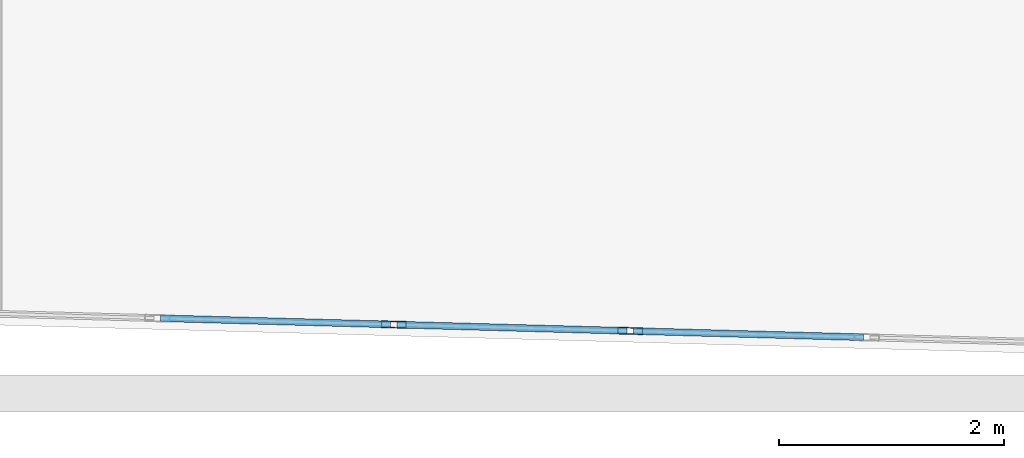
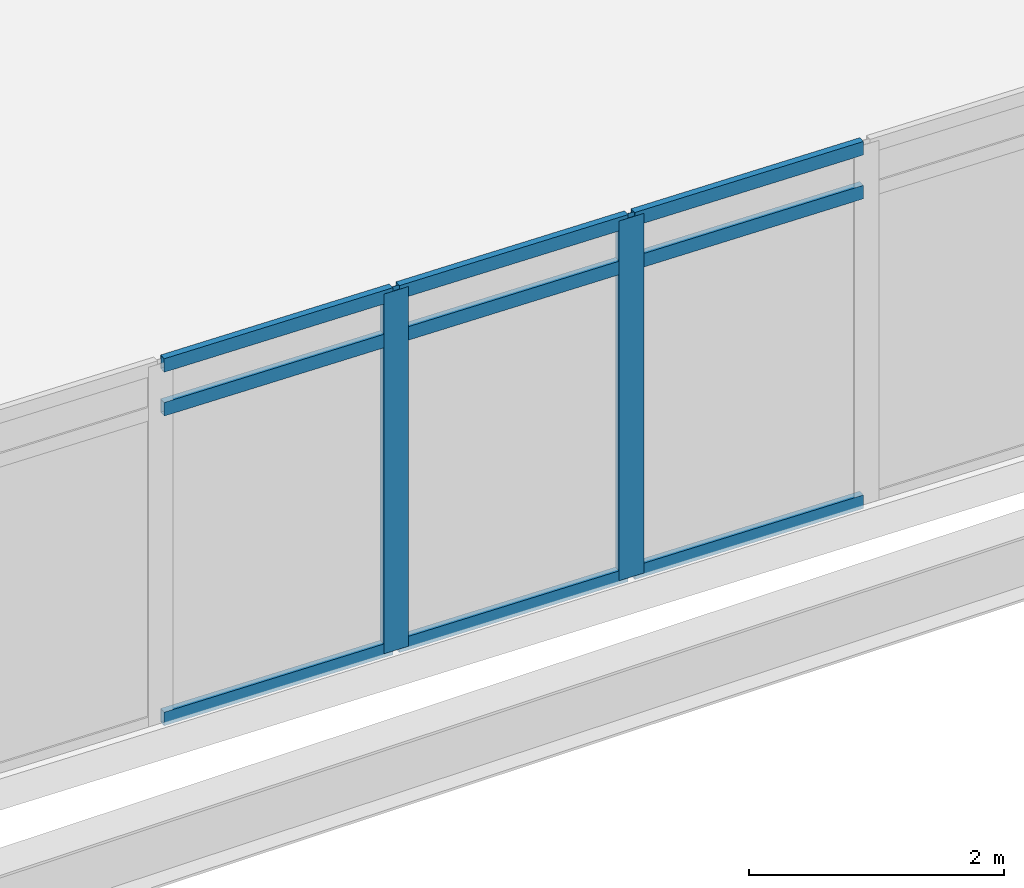
# One storey, part 3 of 28: 11 members, 1 element without a shape of its own.
"""IFC4 building model written with IfcOpenShell, lengths in metres."""

import ifcopenshell
import ifcopenshell.guid

model = None  # the IFC model being written
_history = None  # IfcOwnerHistory: only IFC2X3 demands one
_inside = {}  # id of a spatial element -> (the spatial element, [elements in it])
_under = {}  # id of a project, library or spatial element -> (it, [spatial elements below it])
_declared = {}  # id of a project -> (the project, [libraries it declares])
_typed = {}  # id of a type object -> (the type object, [elements of that type])
_made_of = {}  # id of a material, layer set ... -> (it, [elements and type objects made of it])


def new_model(schema):
    """Start an empty IFC model of exactly this schema.

    Asked for "IFC4X3", IfcOpenShell would pick the latest addendum, in which some entities
    have other attributes; the version numbers below select the first issue.
    IFC2X3 requires an IfcOwnerHistory on every rooted entity: one is made here for all.
    """
    global model, _history
    if schema == "IFC4X3":
        model = ifcopenshell.file(schema_version=(4, 3, 0, 0))
    else:
        model = ifcopenshell.file(schema=schema)
    _inside.clear()
    _under.clear()
    _declared.clear()
    _typed.clear()
    _made_of.clear()
    _history = None
    if model.schema == "IFC2X3":
        org = make("IfcOrganization", Name="unknown")
        user = make(
            "IfcPersonAndOrganization",
            ThePerson=make("IfcPerson", FamilyName="unknown"),
            TheOrganization=org,
        )
        app = make(
            "IfcApplication",
            ApplicationDeveloper=org,
            Version="unknown",
            ApplicationFullName="unknown",
            ApplicationIdentifier="unknown",
        )
        _history = make(
            "IfcOwnerHistory",
            OwningUser=user,
            OwningApplication=app,
            ChangeAction="ADDED",
            CreationDate=0,
        )
    return model


def make(cls, **values):
    """One entity of the class cls with the attributes given. An attribute that is None is left unset."""
    return model.create_entity(
        cls, **{name: value for name, value in values.items() if value is not None}
    )


def rooted(cls, **values):
    """An entity with a GlobalId (a new one), such as an element, a storey or a relation."""
    return make(cls, GlobalId=ifcopenshell.guid.new(), OwnerHistory=_history, **values)


def si_unit(unit_type, name, prefix=None):
    """IfcSIUnit, for example si_unit("LENGTHUNIT", "METRE", prefix="MILLI")."""
    return make("IfcSIUnit", UnitType=unit_type, Prefix=prefix, Name=name)


def assignment(units):
    """IfcUnitAssignment: the units of a project."""
    return None if units is None else make("IfcUnitAssignment", Units=units)


def point(xyz):
    """IfcCartesianPoint."""
    return None if xyz is None else make("IfcCartesianPoint", Coordinates=xyz)


def direction(xyz):
    """IfcDirection."""
    return None if xyz is None else make("IfcDirection", DirectionRatios=xyz)


def frame(location, z_axis=None, x_axis=None):
    """IfcAxis2Placement3D, a coordinate frame: its origin and axes. An axis left out is left unset."""
    return make(
        "IfcAxis2Placement3D",
        Location=point(location),
        Axis=direction(z_axis),
        RefDirection=direction(x_axis),
    )


def frame_2d(location, x_axis=None):
    """IfcAxis2Placement2D, a coordinate frame in the plane: its origin and x axis."""
    return make(
        "IfcAxis2Placement2D", Location=point(location), RefDirection=direction(x_axis)
    )


def origin():
    """The frame at (0, 0, 0) with its axes left unset."""
    return frame((0.0, 0.0, 0.0))


def origin_2d():
    """The frame at (0, 0) in the plane with its x axis left unset."""
    return frame_2d((0.0, 0.0))


def place(relative_to, where):
    """IfcLocalPlacement: puts the frame where relative to a parent placement (None: the world)."""
    return make(
        "IfcLocalPlacement", PlacementRelTo=relative_to, RelativePlacement=where
    )


def context(
    kind, dimensions, precision=None, world=None, true_north=None, identifier=None
):
    """IfcGeometricRepresentationContext, for example the 3D "Model" context."""
    return make(
        "IfcGeometricRepresentationContext",
        ContextIdentifier=identifier,
        ContextType=kind,
        CoordinateSpaceDimension=dimensions,
        Precision=precision,
        WorldCoordinateSystem=world,
        TrueNorth=true_north,
    )


def subcontext(parent, identifier, kind, view, scale=None):
    """IfcGeometricRepresentationSubContext, for example "Body" below "Model"."""
    return make(
        "IfcGeometricRepresentationSubContext",
        ContextIdentifier=identifier,
        ContextType=kind,
        ParentContext=parent,
        TargetScale=scale,
        TargetView=view,
    )


def project(units=None, contexts=None):
    """IfcProject with its units and contexts."""
    return rooted(
        "IfcProject",
        Name="project",
        RepresentationContexts=contexts,
        UnitsInContext=assignment(units),
    )


def spatial(cls, under=None, at=None, **own):
    """A site, building, storey or space (cls), placed at a placement, below another one or the project."""
    s = rooted(cls, ObjectPlacement=at, **own)
    if under is not None:
        _under.setdefault(under.id(), (under, []))[1].append(s)
    return s


def profile(cls, at=None, kind="AREA", **sizes):
    """A parametric profile (cls). Its sizes go by their IFC names, for example OverallWidth=200.0."""
    return make(cls, ProfileType=kind, Position=at, **sizes)


def hollow_rectangle(**sizes):
    """IfcRectangleHollowProfileDef."""
    return profile("IfcRectangleHollowProfileDef", **sizes)


def extrude(swept, where, along, depth):
    """IfcExtrudedAreaSolid: the profile swept, set in the frame where, extruded along a direction by depth."""
    return make(
        "IfcExtrudedAreaSolid",
        SweptArea=swept,
        Position=where,
        ExtrudedDirection=direction(along),
        Depth=depth,
    )


def shape(context_of_items, identifier, shape_type, items):
    """IfcShapeRepresentation: the items that make up one representation, for example the "Body"."""
    return make(
        "IfcShapeRepresentation",
        ContextOfItems=context_of_items,
        RepresentationIdentifier=identifier,
        RepresentationType=shape_type,
        Items=items,
    )


def material(Name=None, Category=None):
    """IfcMaterial."""
    return make("IfcMaterial", Name=Name, Category=Category)


def material_profile(
    of_material, cross_section, Name=None, Category=None, Priority=None
):
    """IfcMaterialProfile: a cross section and its material."""
    return make(
        "IfcMaterialProfile",
        Name=Name,
        Material=of_material,
        Profile=cross_section,
        Priority=Priority,
        Category=Category,
    )


def profile_set(profiles, Name=None, composite=None):
    """IfcMaterialProfileSet."""
    return make(
        "IfcMaterialProfileSet",
        Name=Name,
        MaterialProfiles=profiles,
        CompositeProfile=composite,
    )


def made_of(thing, what):
    """Note that an element or type object is made of a material, layer set ...; save() writes the relation."""
    if what is not None:
        _made_of.setdefault(what.id(), (what, []))[1].append(thing)
    return thing


def type_object(cls, material=None, **own):
    """A type object (cls), such as IfcWallType, which elements share."""
    return made_of(rooted(cls, **own), material)


def element(
    cls,
    number,
    at=None,
    inside=None,
    cuts=None,
    type_object=None,
    material=None,
    context=None,
    identifier="Body",
    shape_type=None,
    held_by="IfcProductDefinitionShape",
    body=None,
    shapes=None,
    **own,
):
    """One element of the class cls, such as IfcWall. Its Tag is "e" and its number.

    at: its placement. inside: the storey or other place that contains it. cuts: it is an
    opening in that element (IfcRelVoidsElement). A single representation is given by context,
    identifier, shape_type and body (its items); several are given by shapes. held_by: the class
    of the entity that holds the representations. save() writes the other relations.
    """
    e = rooted(cls, Tag="e%d" % number, ObjectPlacement=at, **own)
    if body is not None:
        shapes = [shape(context, identifier, shape_type, body)]
    if shapes is not None:
        e.Representation = make(held_by, Representations=shapes)
    if inside is not None:
        _inside.setdefault(inside.id(), (inside, []))[1].append(e)
    if cuts is not None:
        rooted(
            "IfcRelVoidsElement", RelatingBuildingElement=cuts, RelatedOpeningElement=e
        )
    if type_object is not None:
        _typed.setdefault(type_object.id(), (type_object, []))[1].append(e)
    return made_of(e, material)


def aggregate(whole, parts):
    """IfcRelAggregates: a whole, such as a stair, and the parts it consists of."""
    return rooted("IfcRelAggregates", RelatingObject=whole, RelatedObjects=parts)


def save(model, path):
    """Write the relations noted so far, then the file.

    IfcRelAggregates (storeys below a building ...), IfcRelContainedInSpatialStructure (elements
    in a storey), IfcRelDefinesByType, IfcRelAssociatesMaterial and IfcRelDeclares: one each for
    every whole, place, type object, material and project.
    """
    for whole, parts in _under.values():
        aggregate(whole, parts)
    for where, things in _inside.values():
        rooted(
            "IfcRelContainedInSpatialStructure",
            RelatedElements=things,
            RelatingStructure=where,
        )
    for kind, things in _typed.values():
        rooted("IfcRelDefinesByType", RelatedObjects=things, RelatingType=kind)
    for what, things in _made_of.values():
        rooted("IfcRelAssociatesMaterial", RelatedObjects=things, RelatingMaterial=what)
    for by, libraries in _declared.values():
        rooted("IfcRelDeclares", RelatingContext=by, RelatedDefinitions=libraries)
    model.write(path)


model = new_model("IFC4")

# Units and contexts
model_context = context("Model", 3, precision=1e-05, world=origin(), true_north=direction((0.0, 1.0)))
body_context = subcontext(model_context, "Body", "Model", "MODEL_VIEW")
ifc_project = project(units=[si_unit("LENGTHUNIT", "METRE"), si_unit("AREAUNIT", "SQUARE_METRE"), si_unit("VOLUMEUNIT", "CUBIC_METRE"), si_unit("PLANEANGLEUNIT", "RADIAN"), si_unit("MASSUNIT", "GRAM", prefix="KILO")], contexts=[model_context])

# Site, building, storey
site_placement = place(None, origin())
site = spatial("IfcSite", under=ifc_project, at=site_placement, CompositionType="ELEMENT")
building_placement = place(site_placement, origin())
building = spatial("IfcBuilding", under=site, at=building_placement, Name="Ostrander Bayou Hotel Tower", CompositionType="ELEMENT")
storey_placement = place(building_placement, frame((0.0, 0.0, 73.0)))
storey = spatial("IfcBuildingStorey", under=building, at=storey_placement, Name="L18", CompositionType="ELEMENT", Elevation=73.0)

# Curtain wall, members
ifc_material_1 = material(Name="Aluminium and clear glass", Category="aluminium")
curtain_wall_type = type_object("IfcCurtainWallType", Name="CW-BAR glazed wall", PredefinedType="NOTDEFINED", material=ifc_material_1)
curtain_wall_placement = place(storey_placement, origin())
curtain_wall = element("IfcCurtainWall", 1, at=curtain_wall_placement, inside=storey, type_object=curtain_wall_type, Name="CW-BAR L18:SB1S:T", PredefinedType="NOTDEFINED")
ifc_material_2 = material(Name="Aluminium", Category="aluminium")
ifc_material_profile_1 = material_profile(ifc_material_2, hollow_rectangle(XDim=0.06005859375, YDim=0.219970703125, WallThickness=0.00390625, at=origin_2d()))
ifc_profile_set_1 = profile_set([ifc_material_profile_1], Name="Aluminium")
member_type_1 = type_object("IfcMemberType", Name="CW-BR mullion 60 x 220 mm", PredefinedType="MULLION", material=ifc_profile_set_1)
member_1_placement = place(storey_placement, frame((-4.203369140625, -32.336181640625, 0.0), z_axis=(0.0, 0.0, 1.0), x_axis=(0.027042484848, 0.999634285133, 0.0)))
member_1 = element("IfcMember", 2, at=member_1_placement, type_object=member_type_1, Name="CW-BAR mullion 6", PredefinedType="MULLION", context=body_context, shape_type="SweptSolid", body=[
    extrude(hollow_rectangle(XDim=0.06005859375, YDim=0.219970703125, WallThickness=0.00390625, at=origin_2d()), origin(), (0.0, 0.0, 1.0), 3.449951171875),
])
member_2_placement = place(storey_placement, frame((-2.101806640625, -32.39306640625, 0.0), z_axis=(0.0, 0.0, 1.0), x_axis=(0.027042484848, 0.999634285133, 0.0)))
member_2 = element("IfcMember", 3, at=member_2_placement, type_object=member_type_1, Name="CW-BAR mullion 7", PredefinedType="MULLION", context=body_context, shape_type="SweptSolid", body=[
    extrude(hollow_rectangle(XDim=0.06005859375, YDim=0.219970703125, WallThickness=0.00390625, at=origin_2d()), origin(), (0.0, 0.0, 1.0), 3.449951171875),
])
ifc_material_3 = material(Name="Aluminium", Category="aluminium")
ifc_material_profile_2 = material_profile(ifc_material_3, hollow_rectangle(XDim=0.06005859375, YDim=0.1298828125, WallThickness=0.00390625, at=origin_2d()))
ifc_profile_set_2 = profile_set([ifc_material_profile_2], Name="Aluminium")
member_type_2 = type_object("IfcMemberType", Name="CW-BR transom 60 x 130 mm", PredefinedType="USERDEFINED", material=ifc_profile_set_2)
member_3_placement = place(storey_placement, frame((-6.275146484375, -32.2802734375, 0.030029296875), z_axis=(0.999635057116, -0.027013933147, 0.0), x_axis=(0.027013933147, 0.999635057116, 0.0)))
member_3 = element("IfcMember", 4, at=member_3_placement, type_object=member_type_2, Name="CW-BAR transom 5.1", ObjectType="TRANSOM", PredefinedType="USERDEFINED", context=body_context, shape_type="SweptSolid", body=[
    extrude(hollow_rectangle(XDim=0.06005859375, YDim=0.1298828125, WallThickness=0.00390625, at=origin_2d()), origin(), (0.0, 0.0, 1.0), 2.04248046875),
])
member_4_placement = place(storey_placement, frame((-6.275146484375, -32.2802734375, 3.0), z_axis=(0.999635057116, -0.027013933147, 0.0), x_axis=(0.027013933147, 0.999635057116, 0.0)))
member_4 = element("IfcMember", 5, at=member_4_placement, type_object=member_type_2, Name="CW-BAR transom 5.2", ObjectType="TRANSOM", PredefinedType="USERDEFINED", context=body_context, shape_type="SweptSolid", body=[
    extrude(hollow_rectangle(XDim=0.06005859375, YDim=0.1298828125, WallThickness=0.00390625, at=origin_2d()), origin(), (0.0, 0.0, 1.0), 2.04248046875),
])
member_5_placement = place(storey_placement, frame((-6.275146484375, -32.2802734375, 3.419921875), z_axis=(0.999635057116, -0.027013933147, 0.0), x_axis=(0.027013933147, 0.999635057116, 0.0)))
member_5 = element("IfcMember", 6, at=member_5_placement, type_object=member_type_2, Name="CW-BAR transom 5.3", ObjectType="TRANSOM", PredefinedType="USERDEFINED", context=body_context, shape_type="SweptSolid", body=[
    extrude(hollow_rectangle(XDim=0.06005859375, YDim=0.1298828125, WallThickness=0.00390625, at=origin_2d()), origin(), (0.0, 0.0, 1.0), 2.04248046875),
])
member_6_placement = place(storey_placement, frame((-4.173583984375, -32.337158203125, 0.030029296875), z_axis=(0.999635057116, -0.027013933147, 0.0), x_axis=(0.027013933147, 0.999635057116, 0.0)))
member_6 = element("IfcMember", 7, at=member_6_placement, type_object=member_type_2, Name="CW-BAR transom 6.1", ObjectType="TRANSOM", PredefinedType="USERDEFINED", context=body_context, shape_type="SweptSolid", body=[
    extrude(hollow_rectangle(XDim=0.06005859375, YDim=0.1298828125, WallThickness=0.00390625, at=origin_2d()), origin(), (0.0, 0.0, 1.0), 2.04248046875),
])
member_7_placement = place(storey_placement, frame((-4.173583984375, -32.337158203125, 3.0), z_axis=(0.999635057116, -0.027013933147, 0.0), x_axis=(0.027013933147, 0.999635057116, 0.0)))
member_7 = element("IfcMember", 8, at=member_7_placement, type_object=member_type_2, Name="CW-BAR transom 6.2", ObjectType="TRANSOM", PredefinedType="USERDEFINED", context=body_context, shape_type="SweptSolid", body=[
    extrude(hollow_rectangle(XDim=0.06005859375, YDim=0.1298828125, WallThickness=0.00390625, at=origin_2d()), origin(), (0.0, 0.0, 1.0), 2.04248046875),
])
member_8_placement = place(storey_placement, frame((-4.173583984375, -32.337158203125, 3.419921875), z_axis=(0.999635057116, -0.027013933147, 0.0), x_axis=(0.027013933147, 0.999635057116, 0.0)))
member_8 = element("IfcMember", 9, at=member_8_placement, type_object=member_type_2, Name="CW-BAR transom 6.3", ObjectType="TRANSOM", PredefinedType="USERDEFINED", context=body_context, shape_type="SweptSolid", body=[
    extrude(hollow_rectangle(XDim=0.06005859375, YDim=0.1298828125, WallThickness=0.00390625, at=origin_2d()), origin(), (0.0, 0.0, 1.0), 2.04248046875),
])
member_9_placement = place(storey_placement, frame((-2.07177734375, -32.39404296875, 0.030029296875), z_axis=(0.999635057116, -0.027013933147, 0.0), x_axis=(0.027013933147, 0.999635057116, 0.0)))
member_9 = element("IfcMember", 10, at=member_9_placement, type_object=member_type_2, Name="CW-BAR transom 7.1", ObjectType="TRANSOM", PredefinedType="USERDEFINED", context=body_context, shape_type="SweptSolid", body=[
    extrude(hollow_rectangle(XDim=0.06005859375, YDim=0.1298828125, WallThickness=0.00390625, at=origin_2d()), origin(), (0.0, 0.0, 1.0), 2.04248046875),
])
member_10_placement = place(storey_placement, frame((-2.07177734375, -32.39404296875, 3.0), z_axis=(0.999635057116, -0.027013933147, 0.0), x_axis=(0.027013933147, 0.999635057116, 0.0)))
member_10 = element("IfcMember", 11, at=member_10_placement, type_object=member_type_2, Name="CW-BAR transom 7.2", ObjectType="TRANSOM", PredefinedType="USERDEFINED", context=body_context, shape_type="SweptSolid", body=[
    extrude(hollow_rectangle(XDim=0.06005859375, YDim=0.1298828125, WallThickness=0.00390625, at=origin_2d()), origin(), (0.0, 0.0, 1.0), 2.04248046875),
])
member_11_placement = place(storey_placement, frame((-2.07177734375, -32.39404296875, 3.419921875), z_axis=(0.999635057116, -0.027013933147, 0.0), x_axis=(0.027013933147, 0.999635057116, 0.0)))
member_11 = element("IfcMember", 12, at=member_11_placement, type_object=member_type_2, Name="CW-BAR transom 7.3", ObjectType="TRANSOM", PredefinedType="USERDEFINED", context=body_context, shape_type="SweptSolid", body=[
    extrude(hollow_rectangle(XDim=0.06005859375, YDim=0.1298828125, WallThickness=0.00390625, at=origin_2d()), origin(), (0.0, 0.0, 1.0), 2.04248046875),
])
aggregate(curtain_wall, [member_1, member_2, member_3, member_4, member_5, member_6, member_7, member_8, member_9, member_10, member_11])

save(model, "model.ifc")
